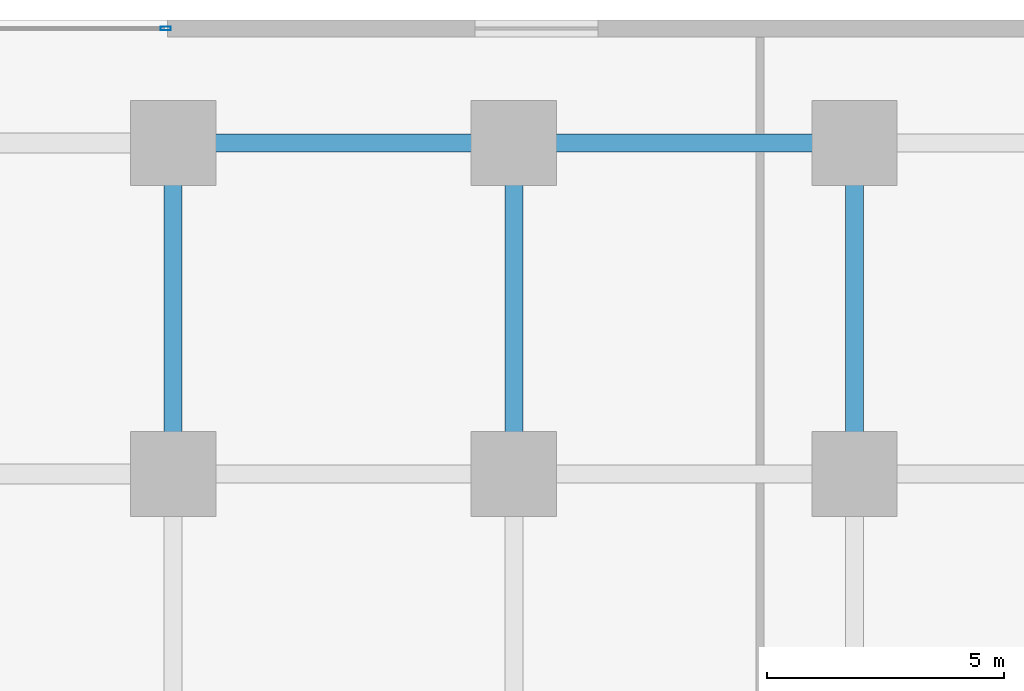
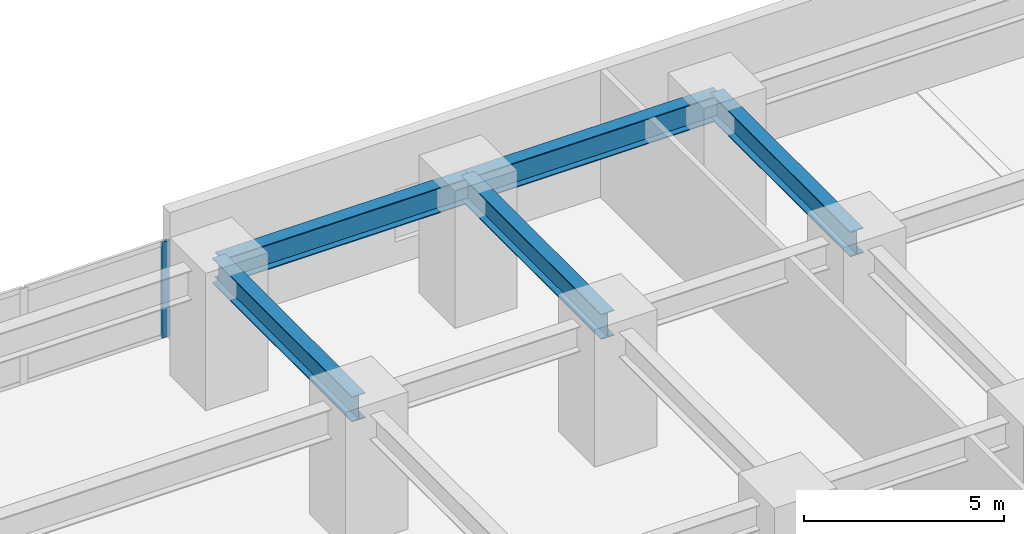
# One storey, part 8 of 22: 5 beams, 1 member, 1 element without a shape of its own.
"""IFC4 building model written with IfcOpenShell, lengths in metres."""

import ifcopenshell
import ifcopenshell.guid

model = None  # the IFC model being written
_history = None  # IfcOwnerHistory: only IFC2X3 demands one
_inside = {}  # id of a spatial element -> (the spatial element, [elements in it])
_under = {}  # id of a project, library or spatial element -> (it, [spatial elements below it])
_declared = {}  # id of a project -> (the project, [libraries it declares])
_typed = {}  # id of a type object -> (the type object, [elements of that type])
_made_of = {}  # id of a material, layer set ... -> (it, [elements and type objects made of it])


def new_model(schema):
    """Start an empty IFC model of exactly this schema.

    Asked for "IFC4X3", IfcOpenShell would pick the latest addendum, in which some entities
    have other attributes; the version numbers below select the first issue.
    IFC2X3 requires an IfcOwnerHistory on every rooted entity: one is made here for all.
    """
    global model, _history
    if schema == "IFC4X3":
        model = ifcopenshell.file(schema_version=(4, 3, 0, 0))
    else:
        model = ifcopenshell.file(schema=schema)
    _inside.clear()
    _under.clear()
    _declared.clear()
    _typed.clear()
    _made_of.clear()
    _history = None
    if model.schema == "IFC2X3":
        org = make("IfcOrganization", Name="unknown")
        user = make(
            "IfcPersonAndOrganization",
            ThePerson=make("IfcPerson", FamilyName="unknown"),
            TheOrganization=org,
        )
        app = make(
            "IfcApplication",
            ApplicationDeveloper=org,
            Version="unknown",
            ApplicationFullName="unknown",
            ApplicationIdentifier="unknown",
        )
        _history = make(
            "IfcOwnerHistory",
            OwningUser=user,
            OwningApplication=app,
            ChangeAction="ADDED",
            CreationDate=0,
        )
    return model


def make(cls, **values):
    """One entity of the class cls with the attributes given. An attribute that is None is left unset."""
    return model.create_entity(
        cls, **{name: value for name, value in values.items() if value is not None}
    )


def rooted(cls, **values):
    """An entity with a GlobalId (a new one), such as an element, a storey or a relation."""
    return make(cls, GlobalId=ifcopenshell.guid.new(), OwnerHistory=_history, **values)


def si_unit(unit_type, name, prefix=None):
    """IfcSIUnit, for example si_unit("LENGTHUNIT", "METRE", prefix="MILLI")."""
    return make("IfcSIUnit", UnitType=unit_type, Prefix=prefix, Name=name)


def assignment(units):
    """IfcUnitAssignment: the units of a project."""
    return None if units is None else make("IfcUnitAssignment", Units=units)


def point(xyz):
    """IfcCartesianPoint."""
    return None if xyz is None else make("IfcCartesianPoint", Coordinates=xyz)


def direction(xyz):
    """IfcDirection."""
    return None if xyz is None else make("IfcDirection", DirectionRatios=xyz)


def frame(location, z_axis=None, x_axis=None):
    """IfcAxis2Placement3D, a coordinate frame: its origin and axes. An axis left out is left unset."""
    return make(
        "IfcAxis2Placement3D",
        Location=point(location),
        Axis=direction(z_axis),
        RefDirection=direction(x_axis),
    )


def frame_2d(location, x_axis=None):
    """IfcAxis2Placement2D, a coordinate frame in the plane: its origin and x axis."""
    return make(
        "IfcAxis2Placement2D", Location=point(location), RefDirection=direction(x_axis)
    )


def origin():
    """The frame at (0, 0, 0) with its axes left unset."""
    return frame((0.0, 0.0, 0.0))


def origin_2d():
    """The frame at (0, 0) in the plane with its x axis left unset."""
    return frame_2d((0.0, 0.0))


def place(relative_to, where):
    """IfcLocalPlacement: puts the frame where relative to a parent placement (None: the world)."""
    return make(
        "IfcLocalPlacement", PlacementRelTo=relative_to, RelativePlacement=where
    )


def context(
    kind, dimensions, precision=None, world=None, true_north=None, identifier=None
):
    """IfcGeometricRepresentationContext, for example the 3D "Model" context."""
    return make(
        "IfcGeometricRepresentationContext",
        ContextIdentifier=identifier,
        ContextType=kind,
        CoordinateSpaceDimension=dimensions,
        Precision=precision,
        WorldCoordinateSystem=world,
        TrueNorth=true_north,
    )


def subcontext(parent, identifier, kind, view, scale=None):
    """IfcGeometricRepresentationSubContext, for example "Body" below "Model"."""
    return make(
        "IfcGeometricRepresentationSubContext",
        ContextIdentifier=identifier,
        ContextType=kind,
        ParentContext=parent,
        TargetScale=scale,
        TargetView=view,
    )


def project(units=None, contexts=None):
    """IfcProject with its units and contexts."""
    return rooted(
        "IfcProject",
        Name="project",
        RepresentationContexts=contexts,
        UnitsInContext=assignment(units),
    )


def spatial(cls, under=None, at=None, **own):
    """A site, building, storey or space (cls), placed at a placement, below another one or the project."""
    s = rooted(cls, ObjectPlacement=at, **own)
    if under is not None:
        _under.setdefault(under.id(), (under, []))[1].append(s)
    return s


def profile(cls, at=None, kind="AREA", **sizes):
    """A parametric profile (cls). Its sizes go by their IFC names, for example OverallWidth=200.0."""
    return make(cls, ProfileType=kind, Position=at, **sizes)


def hollow_rectangle(**sizes):
    """IfcRectangleHollowProfileDef."""
    return profile("IfcRectangleHollowProfileDef", **sizes)


def i_section(**sizes):
    """IfcIShapeProfileDef."""
    return profile("IfcIShapeProfileDef", **sizes)


def extrude(swept, where, along, depth):
    """IfcExtrudedAreaSolid: the profile swept, set in the frame where, extruded along a direction by depth."""
    return make(
        "IfcExtrudedAreaSolid",
        SweptArea=swept,
        Position=where,
        ExtrudedDirection=direction(along),
        Depth=depth,
    )


def shape(context_of_items, identifier, shape_type, items):
    """IfcShapeRepresentation: the items that make up one representation, for example the "Body"."""
    return make(
        "IfcShapeRepresentation",
        ContextOfItems=context_of_items,
        RepresentationIdentifier=identifier,
        RepresentationType=shape_type,
        Items=items,
    )


def material(Name=None, Category=None):
    """IfcMaterial."""
    return make("IfcMaterial", Name=Name, Category=Category)


def layer(
    of_material, thickness, ventilated=None, Name=None, Category=None, Priority=None
):
    """IfcMaterialLayer: one layer of a wall or slab, of a material (None: an air gap)."""
    return make(
        "IfcMaterialLayer",
        Material=of_material,
        LayerThickness=thickness,
        IsVentilated=ventilated,
        Name=Name,
        Category=Category,
        Priority=Priority,
    )


def layer_set(layers, Name=None):
    """IfcMaterialLayerSet."""
    return make("IfcMaterialLayerSet", MaterialLayers=layers, LayerSetName=Name)


def material_profile(
    of_material, cross_section, Name=None, Category=None, Priority=None
):
    """IfcMaterialProfile: a cross section and its material."""
    return make(
        "IfcMaterialProfile",
        Name=Name,
        Material=of_material,
        Profile=cross_section,
        Priority=Priority,
        Category=Category,
    )


def profile_set(profiles, Name=None, composite=None):
    """IfcMaterialProfileSet."""
    return make(
        "IfcMaterialProfileSet",
        Name=Name,
        MaterialProfiles=profiles,
        CompositeProfile=composite,
    )


def made_of(thing, what):
    """Note that an element or type object is made of a material, layer set ...; save() writes the relation."""
    if what is not None:
        _made_of.setdefault(what.id(), (what, []))[1].append(thing)
    return thing


def type_object(cls, material=None, **own):
    """A type object (cls), such as IfcWallType, which elements share."""
    return made_of(rooted(cls, **own), material)


def element(
    cls,
    number,
    at=None,
    inside=None,
    cuts=None,
    type_object=None,
    material=None,
    context=None,
    identifier="Body",
    shape_type=None,
    held_by="IfcProductDefinitionShape",
    body=None,
    shapes=None,
    **own,
):
    """One element of the class cls, such as IfcWall. Its Tag is "e" and its number.

    at: its placement. inside: the storey or other place that contains it. cuts: it is an
    opening in that element (IfcRelVoidsElement). A single representation is given by context,
    identifier, shape_type and body (its items); several are given by shapes. held_by: the class
    of the entity that holds the representations. save() writes the other relations.
    """
    e = rooted(cls, Tag="e%d" % number, ObjectPlacement=at, **own)
    if body is not None:
        shapes = [shape(context, identifier, shape_type, body)]
    if shapes is not None:
        e.Representation = make(held_by, Representations=shapes)
    if inside is not None:
        _inside.setdefault(inside.id(), (inside, []))[1].append(e)
    if cuts is not None:
        rooted(
            "IfcRelVoidsElement", RelatingBuildingElement=cuts, RelatedOpeningElement=e
        )
    if type_object is not None:
        _typed.setdefault(type_object.id(), (type_object, []))[1].append(e)
    return made_of(e, material)


def aggregate(whole, parts):
    """IfcRelAggregates: a whole, such as a stair, and the parts it consists of."""
    return rooted("IfcRelAggregates", RelatingObject=whole, RelatedObjects=parts)


def save(model, path):
    """Write the relations noted so far, then the file.

    IfcRelAggregates (storeys below a building ...), IfcRelContainedInSpatialStructure (elements
    in a storey), IfcRelDefinesByType, IfcRelAssociatesMaterial and IfcRelDeclares: one each for
    every whole, place, type object, material and project.
    """
    for whole, parts in _under.values():
        aggregate(whole, parts)
    for where, things in _inside.values():
        rooted(
            "IfcRelContainedInSpatialStructure",
            RelatedElements=things,
            RelatingStructure=where,
        )
    for kind, things in _typed.values():
        rooted("IfcRelDefinesByType", RelatedObjects=things, RelatingType=kind)
    for what, things in _made_of.values():
        rooted("IfcRelAssociatesMaterial", RelatedObjects=things, RelatingMaterial=what)
    for by, libraries in _declared.values():
        rooted("IfcRelDeclares", RelatingContext=by, RelatedDefinitions=libraries)
    model.write(path)


model = new_model("IFC4")

# Units and contexts
model_context = context("Model", 3, precision=1e-05, world=origin(), true_north=direction((0.0, 1.0)))
body_context = subcontext(model_context, "Body", "Model", "MODEL_VIEW")
ifc_project = project(units=[si_unit("LENGTHUNIT", "METRE"), si_unit("AREAUNIT", "SQUARE_METRE"), si_unit("VOLUMEUNIT", "CUBIC_METRE"), si_unit("PLANEANGLEUNIT", "RADIAN"), si_unit("MASSUNIT", "GRAM", prefix="KILO")], contexts=[model_context])

# Site, building, storey
site_placement = place(None, origin())
site = spatial("IfcSite", under=ifc_project, at=site_placement, CompositionType="ELEMENT")
building_placement = place(site_placement, origin())
building = spatial("IfcBuilding", under=site, at=building_placement, Name="Kiyonajd Concourse Tower", CompositionType="ELEMENT")
storey_placement = place(building_placement, frame((0.0, 0.0, 8.699951171875)))
storey = spatial("IfcBuildingStorey", under=building, at=storey_placement, Name="L03", CompositionType="ELEMENT", Elevation=8.699951171875)

# Beams
ifc_material_1 = material(Name="Steel ASTM A992 Grade 50", Category="steel")
ifc_material_profile_1 = material_profile(ifc_material_1, i_section(OverallWidth=0.381103515625, OverallDepth=0.77294921875, WebThickness=0.0166015625, FlangeThickness=0.027099609375, at=origin_2d()), Name="W760X257")
ifc_profile_set_1 = profile_set([ifc_material_profile_1], Name="Steel ASTM A992 Grade 50")
beam_type = type_object("IfcBeamType", Name="BM-POD-760", PredefinedType="BEAM", material=ifc_profile_set_1)
beam_1_placement = place(storey_placement, frame((56.39990234375, 69.39990234375, 3.49365234375), z_axis=(1.0, 0.0, 0.0), x_axis=(0.0, 1.0, 0.0)))
element("IfcBeam", 1, at=beam_1_placement, inside=storey, type_object=beam_type, Name="L03 Podium Primary Beam", PredefinedType="BEAM", context=body_context, shape_type="SweptSolid", body=[
    extrude(i_section(OverallWidth=0.381103515625, OverallDepth=0.77294921875, WebThickness=0.0166015625, FlangeThickness=0.027099609375, at=origin_2d()), origin(), (0.0, 0.0, 1.0), 7.2001953125),
])
beam_2_placement = place(storey_placement, frame((63.60009765625, 69.39990234375, 3.49365234375), z_axis=(1.0, 0.0, 0.0), x_axis=(0.0, 1.0, 0.0)))
element("IfcBeam", 2, at=beam_2_placement, inside=storey, type_object=beam_type, Name="L03 Podium Primary Beam", PredefinedType="BEAM", context=body_context, shape_type="SweptSolid", body=[
    extrude(i_section(OverallWidth=0.381103515625, OverallDepth=0.77294921875, WebThickness=0.0166015625, FlangeThickness=0.027099609375, at=origin_2d()), origin(), (0.0, 0.0, 1.0), 7.199951171875),
])
for number, where, z_axis, x_axis, name in (
    (3, (56.39990234375, 62.39990234375, 3.49365234375), (0.0, 1.0, 0.0), (-1.0, 0.0, 0.0), "L03 Podium North South Beam"),
    (4, (63.60009765625, 62.39990234375, 3.49365234375), (0.0, 1.0, 0.0), (-1.0, 0.0, 0.0), "L03 Podium North South Beam"),
    (5, (70.800048828125, 62.39990234375, 3.49365234375), (0.0, 1.0, 0.0), (-1.0, 0.0, 0.0), "L03 Podium North South Beam"),
):
    element("IfcBeam", number, at=place(storey_placement, frame(where, z_axis=z_axis, x_axis=x_axis)), inside=storey, type_object=beam_type, Name=name, PredefinedType="BEAM", context=body_context, shape_type="SweptSolid", body=[
        extrude(i_section(OverallWidth=0.381103515625, OverallDepth=0.77294921875, WebThickness=0.0166015625, FlangeThickness=0.027099609375, at=origin_2d()), origin(), (0.0, 0.0, 1.0), 7.0),
    ])

# Curtain wall, member
ifc_material_2 = material(Name="Thermally Broken Anodised Aluminium", Category="aluminium")
ifc_layer = layer(ifc_material_2, 0.179931640625)
ifc_layer_set = layer_set([ifc_layer], Name="Thermally Broken Anodised Aluminium")
curtain_wall_type = type_object("IfcCurtainWallType", Name="CW-SYS-01", PredefinedType="NOTDEFINED", material=ifc_layer_set)
curtain_wall_placement = place(storey_placement, origin())
curtain_wall = element("IfcCurtainWall", 6, at=curtain_wall_placement, inside=storey, type_object=curtain_wall_type, Name="L03 Unitised Curtain Wall CW1", PredefinedType="NOTDEFINED")
ifc_material_profile_2 = material_profile(ifc_material_2, hollow_rectangle(XDim=0.074951171875, YDim=0.219970703125, WallThickness=0.0048828125, at=origin_2d()), Name="MULL-75x220")
ifc_profile_set_2 = profile_set([ifc_material_profile_2], Name="Thermally Broken Anodised Aluminium")
member_type = type_object("IfcMemberType", Name="MB-CW-MULL2", PredefinedType="MULLION", material=ifc_profile_set_2)
member_placement = place(storey_placement, frame((56.242431640625, 71.820068359375, 0.0), z_axis=(0.0, 0.0, 1.0), x_axis=(0.0, 1.0, 0.0)))
member = element("IfcMember", 7, at=member_placement, type_object=member_type, Name="CW1 mullion 5", PredefinedType="MULLION", context=body_context, shape_type="SweptSolid", body=[
    extrude(hollow_rectangle(XDim=0.074951171875, YDim=0.219970703125, WallThickness=0.0048828125, at=origin_2d()), origin(), (0.0, 0.0, 1.0), 2.929931640625),
])
aggregate(curtain_wall, [member])

save(model, "model.ifc")
